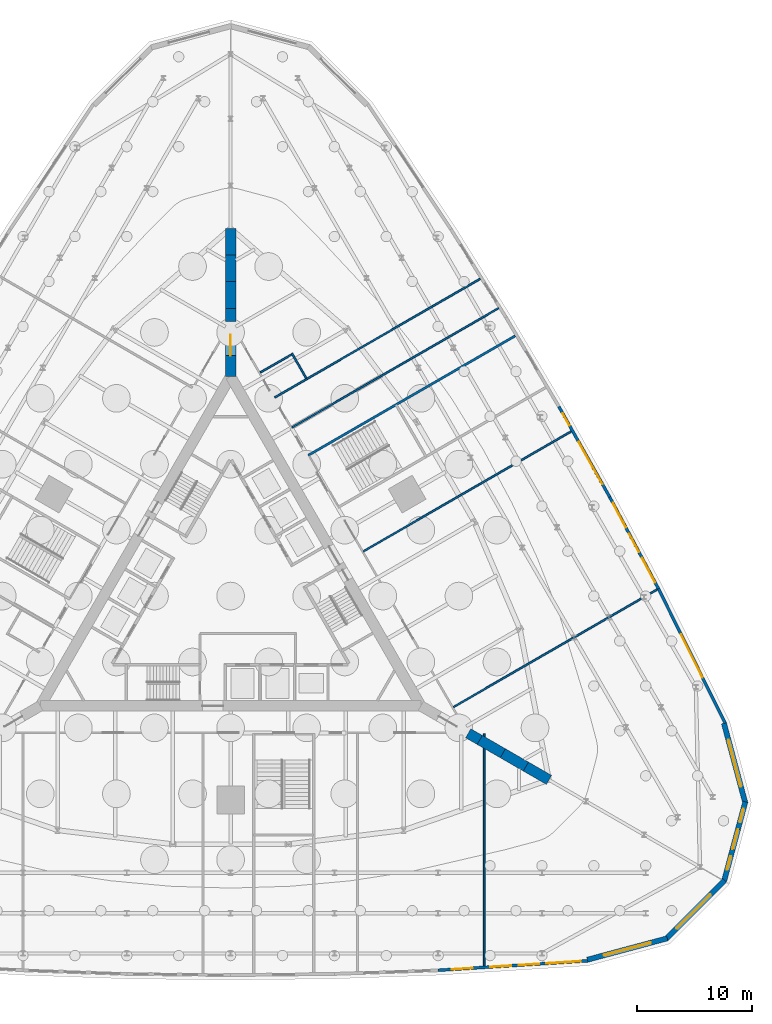
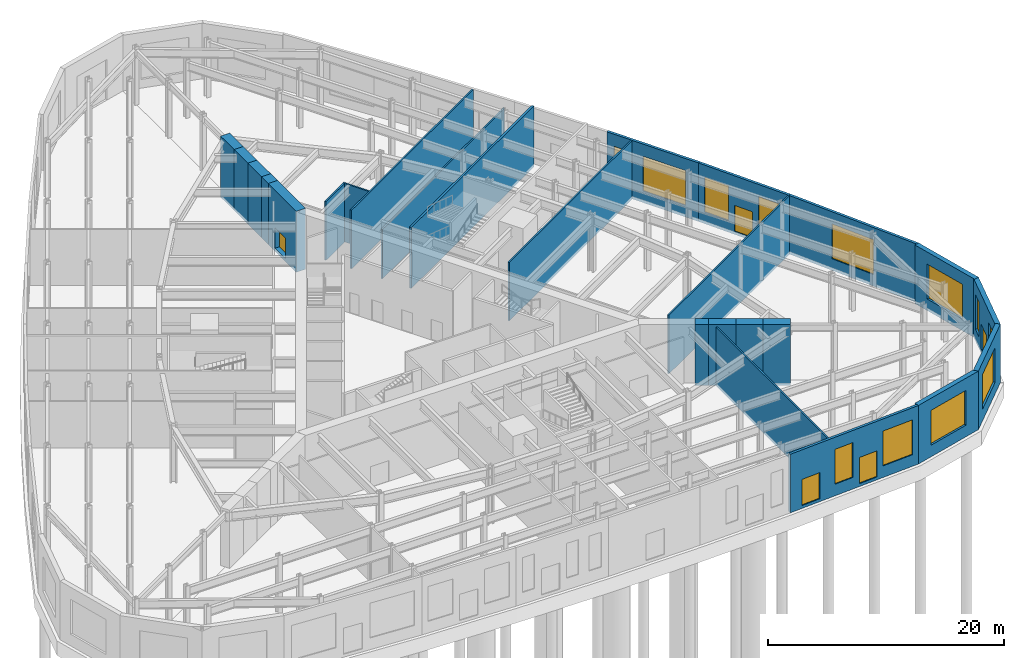
# One storey, part 13 of 17: 25 walls, 12 windows, 5 doors, 17 openings.
"""IFC4 building model written with IfcOpenShell, lengths in metres."""

from ifc_helpers import new_model, si_unit, direction, frame, frame_2d, origin, place, context, subcontext, project, spatial, rectangle, extrude, material, layer, layer_set, type_object, element, fill, save


model = new_model("IFC4")

# Units and contexts
model_context = context("Model", 3, precision=1e-05, world=origin(), true_north=direction((0.0, 1.0)))
body_context = subcontext(model_context, "Body", "Model", "MODEL_VIEW")
ifc_project = project(units=[si_unit("LENGTHUNIT", "METRE"), si_unit("AREAUNIT", "SQUARE_METRE"), si_unit("VOLUMEUNIT", "CUBIC_METRE"), si_unit("PLANEANGLEUNIT", "RADIAN"), si_unit("MASSUNIT", "GRAM", prefix="KILO")], contexts=[model_context])

# Site, building, storey
site_placement = place(None, origin())
site = spatial("IfcSite", under=ifc_project, at=site_placement, CompositionType="ELEMENT")
building_placement = place(site_placement, origin())
building = spatial("IfcBuilding", under=site, at=building_placement, Name="Trikona Tower", CompositionType="ELEMENT")
storey_placement = place(building_placement, origin())
storey = spatial("IfcBuildingStorey", under=building, at=storey_placement, Name="L00", CompositionType="ELEMENT", Elevation=0.0)

# Wall, opening, window
ifc_material_1 = material(Name="Brick-faced precast concrete", Category="masonry")
ifc_layer_1 = layer(ifc_material_1, 0.449951171875)
ifc_layer_set_1 = layer_set([ifc_layer_1], Name="Brick-faced corner wall 450")
wall_type_1 = type_object("IfcWallType", Name="Brick-faced corner wall 450", PredefinedType="SOLIDWALL", material=ifc_layer_set_1)
wall_1_placement = place(storey_placement, frame((30.94189453125, -31.537109375, -0.300048828125), z_axis=(0.0, 0.0, 1.0), x_axis=(0.965924653531, 0.258823421857, 0.0)))
wall_1 = element("IfcWall", 1, at=wall_1_placement, inside=storey, type_object=wall_type_1, Name="External wall L00-06", PredefinedType="SOLIDWALL", context=body_context, shape_type="SweptSolid", body=[
    extrude(rectangle(XDim=7.172607421875, YDim=0.449951171875, at=frame_2d((3.58642578125, 0.0))), origin(), (0.0, 0.0, 1.0), 6.050048828125),
])
opening_1_placement = place(wall_1_placement, frame((1.486328125, 0.0, 1.199951171875)))
opening_1 = element("IfcOpeningElement", 2, at=opening_1_placement, cuts=wall_1, Name="Opening W4236", PredefinedType="OPENING", context=body_context, shape_type="SweptSolid", body=[
    extrude(rectangle(XDim=4.199951171875, YDim=3.60009765625, at=frame_2d((2.10009765625, 1.800048828125))), frame((0.0, 0.23486328125, 0.0), z_axis=(0.0, -1.0, 0.0), x_axis=(1.0, 0.0, 0.0)), (0.0, 0.0, 1.0), 0.469970703125),
])
ifc_material_2 = material(Name="Aluminium-framed double glazing", Category="aluminium")
window_type_1 = type_object("IfcWindowType", Name="Window 4200x3600", PartitioningType="SINGLE_PANEL", PredefinedType="WINDOW", material=ifc_material_2)
window_1_placement = place(opening_1_placement, origin())
window_1 = element("IfcWindow", 3, at=window_1_placement, inside=storey, type_object=window_type_1, Name="Window L00-RU2", OverallHeight=3.60009765625, OverallWidth=4.199951171875, PartitioningType="SINGLE_PANEL", PredefinedType="WINDOW", context=body_context, shape_type="SweptSolid", body=[
    extrude(rectangle(XDim=4.199951171875, YDim=3.60009765625, at=frame_2d((2.10009765625, 1.800048828125))), frame((0.0, 0.030029296875, 0.0), z_axis=(0.0, -1.0, 0.0), x_axis=(1.0, 0.0, 0.0)), (0.0, 0.0, 1.0), 0.06005859375),
])
fill(opening_1, window_1)

wall_2_placement = place(storey_placement, frame((37.76904296875, -29.73876953125, -0.300048828125), z_axis=(0.0, 0.0, 1.0), x_axis=(0.707106781187, 0.707106781187, 0.0)))
wall_2 = element("IfcWall", 4, at=wall_2_placement, inside=storey, type_object=wall_type_1, Name="External wall L00-07", PredefinedType="SOLIDWALL", context=body_context, shape_type="SweptSolid", body=[
    extrude(rectangle(XDim=7.172607421875, YDim=0.449951171875, at=frame_2d((3.58642578125, 0.0))), origin(), (0.0, 0.0, 1.0), 6.050048828125),
])
opening_2_placement = place(wall_2_placement, frame((1.26806640625, 0.0, 1.199951171875)))
opening_2 = element("IfcOpeningElement", 5, at=opening_2_placement, cuts=wall_2, Name="Opening W4236", PredefinedType="OPENING", context=body_context, shape_type="SweptSolid", body=[
    extrude(rectangle(XDim=4.199951171875, YDim=3.60009765625, at=frame_2d((2.10009765625, 1.800048828125))), frame((0.0, 0.23486328125, 0.0), z_axis=(0.0, -1.0, 0.0), x_axis=(1.0, 0.0, 0.0)), (0.0, 0.0, 1.0), 0.469970703125),
])
window_2_placement = place(opening_2_placement, origin())
window_2 = element("IfcWindow", 6, at=window_2_placement, inside=storey, type_object=window_type_1, Name="Window L00-RU2", OverallHeight=3.60009765625, OverallWidth=4.199951171875, PartitioningType="SINGLE_PANEL", PredefinedType="WINDOW", context=body_context, shape_type="SweptSolid", body=[
    extrude(rectangle(XDim=4.199951171875, YDim=3.60009765625, at=frame_2d((2.10009765625, 1.800048828125))), frame((0.0, 0.030029296875, 0.0), z_axis=(0.0, -1.0, 0.0), x_axis=(1.0, 0.0, 0.0)), (0.0, 0.0, 1.0), 0.06005859375),
])
fill(opening_2, window_2)

# Wall, openings, door, windows
wall_3_placement = place(storey_placement, frame((42.78271484375, -24.767822265625, -0.300048828125), z_axis=(0.0, 0.0, 1.0), x_axis=(0.258823421857, 0.965924653531, 0.0)))
wall_3 = element("IfcWall", 7, at=wall_3_placement, inside=storey, type_object=wall_type_1, Name="External wall L00-08", PredefinedType="SOLIDWALL", context=body_context, shape_type="SweptSolid", body=[
    extrude(rectangle(XDim=7.172607421875, YDim=0.449951171875, at=frame_2d((3.58642578125, 0.0))), origin(), (0.0, 0.0, 1.0), 6.050048828125),
])
opening_3_placement = place(wall_3_placement, frame((2.904541015625, 0.0, 0.300048828125)))
opening_3 = element("IfcOpeningElement", 8, at=opening_3_placement, cuts=wall_3, Name="Opening D7", PredefinedType="OPENING", context=body_context, shape_type="SweptSolid", body=[
    extrude(rectangle(XDim=1.800048828125, YDim=2.699951171875, at=frame_2d((0.89990234375, 1.35009765625))), frame((0.0, 0.23486328125, 0.0), z_axis=(0.0, -1.0, 0.0), x_axis=(1.0, 0.0, 0.0)), (0.0, 0.0, 1.0), 0.469970703125),
])
opening_4_placement = place(wall_3_placement, frame((1.070556640625, 0.0, 1.199951171875)))
opening_4 = element("IfcOpeningElement", 9, at=opening_4_placement, cuts=wall_3, Name="Opening W1236", PredefinedType="OPENING", context=body_context, shape_type="SweptSolid", body=[
    extrude(rectangle(XDim=1.199951171875, YDim=3.60009765625, at=frame_2d((0.60009765625, 1.800048828125))), frame((0.0, 0.23486328125, 0.0), z_axis=(0.0, -1.0, 0.0), x_axis=(1.0, 0.0, 0.0)), (0.0, 0.0, 1.0), 0.469970703125),
])
opening_5_placement = place(wall_3_placement, frame((5.338623046875, 0.0, 1.199951171875)))
opening_5 = element("IfcOpeningElement", 10, at=opening_5_placement, cuts=wall_3, Name="Opening W1236", PredefinedType="OPENING", context=body_context, shape_type="SweptSolid", body=[
    extrude(rectangle(XDim=1.199951171875, YDim=3.60009765625, at=frame_2d((0.60009765625, 1.800048828125))), frame((0.0, 0.23486328125, 0.0), z_axis=(0.0, -1.0, 0.0), x_axis=(1.0, 0.0, 0.0)), (0.0, 0.0, 1.0), 0.469970703125),
])
ifc_material_3 = material(Name="Aluminium-framed glazed door", Category="aluminium")
door_type_1 = type_object("IfcDoorType", Name="Entrance door pair 1800x2700", OperationType="DOUBLE_DOOR_SINGLE_SWING", PredefinedType="DOOR", material=ifc_material_3)
door_1_placement = place(opening_3_placement, origin())
door_1 = element("IfcDoor", 11, at=door_1_placement, inside=storey, type_object=door_type_1, Name="Exit door Retail unit 3", OperationType="DOUBLE_DOOR_SINGLE_SWING", OverallHeight=2.699951171875, OverallWidth=1.800048828125, PredefinedType="DOOR", context=body_context, shape_type="SweptSolid", body=[
    extrude(rectangle(XDim=1.800048828125, YDim=2.699951171875, at=frame_2d((0.89990234375, 1.35009765625))), frame((0.0, 0.02490234375, 0.0), z_axis=(0.0, -1.0, 0.0), x_axis=(1.0, 0.0, 0.0)), (0.0, 0.0, 1.0), 0.050048828125),
])
fill(opening_3, door_1)
ifc_material_4 = material(Name="Aluminium-framed double glazing", Category="aluminium")
window_type_2 = type_object("IfcWindowType", Name="Window 1200x3600", PartitioningType="SINGLE_PANEL", PredefinedType="WINDOW", material=ifc_material_4)
window_3_placement = place(opening_4_placement, origin())
window_3 = element("IfcWindow", 12, at=window_3_placement, inside=storey, type_object=window_type_2, Name="Window L00-RU3", OverallHeight=3.60009765625, OverallWidth=1.199951171875, PartitioningType="SINGLE_PANEL", PredefinedType="WINDOW", context=body_context, shape_type="SweptSolid", body=[
    extrude(rectangle(XDim=1.199951171875, YDim=3.60009765625, at=frame_2d((0.60009765625, 1.800048828125))), frame((0.0, 0.030029296875, 0.0), z_axis=(0.0, -1.0, 0.0), x_axis=(1.0, 0.0, 0.0)), (0.0, 0.0, 1.0), 0.06005859375),
])
fill(opening_4, window_3)
window_4_placement = place(opening_5_placement, origin())
window_4 = element("IfcWindow", 13, at=window_4_placement, inside=storey, type_object=window_type_2, Name="Window L00-RU3", OverallHeight=3.60009765625, OverallWidth=1.199951171875, PartitioningType="SINGLE_PANEL", PredefinedType="WINDOW", context=body_context, shape_type="SweptSolid", body=[
    extrude(rectangle(XDim=1.199951171875, YDim=3.60009765625, at=frame_2d((0.60009765625, 1.800048828125))), frame((0.0, 0.030029296875, 0.0), z_axis=(0.0, -1.0, 0.0), x_axis=(1.0, 0.0, 0.0)), (0.0, 0.0, 1.0), 0.06005859375),
])
fill(opening_5, window_4)

# Wall, opening, window
wall_4_placement = place(storey_placement, frame((44.63916015625, -17.9560546875, -0.300048828125), z_axis=(0.0, 0.0, 1.0), x_axis=(-0.258823421857, 0.965924653531, 0.0)))
wall_4 = element("IfcWall", 14, at=wall_4_placement, inside=storey, type_object=wall_type_1, Name="External wall L00-09", PredefinedType="SOLIDWALL", context=body_context, shape_type="SweptSolid", body=[
    extrude(rectangle(XDim=7.172607421875, YDim=0.449951171875, at=frame_2d((3.58642578125, 0.0))), origin(), (0.0, 0.0, 1.0), 6.050048828125),
])
opening_6_placement = place(wall_4_placement, frame((1.486328125, 0.0, 1.199951171875)))
opening_6 = element("IfcOpeningElement", 15, at=opening_6_placement, cuts=wall_4, Name="Opening W4236", PredefinedType="OPENING", context=body_context, shape_type="SweptSolid", body=[
    extrude(rectangle(XDim=4.199951171875, YDim=3.60009765625, at=frame_2d((2.10009765625, 1.800048828125))), frame((0.0, 0.23486328125, 0.0), z_axis=(0.0, -1.0, 0.0), x_axis=(1.0, 0.0, 0.0)), (0.0, 0.0, 1.0), 0.469970703125),
])
window_5_placement = place(opening_6_placement, origin())
window_5 = element("IfcWindow", 16, at=window_5_placement, inside=storey, type_object=window_type_1, Name="Window L00-RU3", OverallHeight=3.60009765625, OverallWidth=4.199951171875, PartitioningType="SINGLE_PANEL", PredefinedType="WINDOW", context=body_context, shape_type="SweptSolid", body=[
    extrude(rectangle(XDim=4.199951171875, YDim=3.60009765625, at=frame_2d((2.10009765625, 1.800048828125))), frame((0.0, 0.030029296875, 0.0), z_axis=(0.0, -1.0, 0.0), x_axis=(1.0, 0.0, 0.0)), (0.0, 0.0, 1.0), 0.06005859375),
])
fill(opening_6, window_5)

# Walls
ifc_material_5 = material(Name="Concrete f'c 10000 psi", Category="concrete")
ifc_layer_2 = layer(ifc_material_5, 0.89990234375)
ifc_layer_set_2 = layer_set([ifc_layer_2], Name="Buttress wall 900")
wall_type_2 = type_object("IfcWallType", Name="Buttress wall 900", PredefinedType="SHEAR", material=ifc_layer_set_2)
wall_5_placement = place(storey_placement, frame((20.6103515625, -11.8994140625, -0.300048828125), z_axis=(0.0, 0.0, 1.0), x_axis=(0.866009537788, -0.500027479704, 0.0)))
element("IfcWall", 17, at=wall_5_placement, inside=storey, type_object=wall_type_2, Name="Buttress wall 1 part 2", PredefinedType="SHEAR", context=body_context, shape_type="SweptSolid", body=[
    extrude(rectangle(XDim=1.15478515625, YDim=0.89990234375, at=frame_2d((0.577392578125, 0.0))), origin(), (0.0, 0.0, 1.0), 6.300048828125),
])
for number, where, z_axis, x_axis, name in (
    (18, (21.6103515625, -12.476806640625, -0.300048828125), (0.0, 0.0, 1.0), (0.866055313784, -0.499948190782, 0.0), "Buttress wall 1 part 3"),
    (19, (23.6103515625, -13.63134765625, -0.300048828125), (0.0, 0.0, 1.0), (0.866009537788, -0.500027479704, 0.0), "Buttress wall 1 part 4"),
    (20, (25.6103515625, -14.7861328125, -0.300048828125), (0.0, 0.0, 1.0), (0.866009537788, -0.500027479704, 0.0), "Buttress wall 1 part 5"),
):
    element("IfcWall", number, at=place(storey_placement, frame(where, z_axis=z_axis, x_axis=x_axis)), inside=storey, type_object=wall_type_2, Name=name, PredefinedType="SHEAR", context=body_context, shape_type="SweptSolid", body=[
        extrude(rectangle(XDim=2.309326171875, YDim=0.89990234375, at=frame_2d((1.15478515625, 0.0))), origin(), (0.0, 0.0, 1.0), 6.300048828125),
    ])

# Wall, opening, door
wall_6_placement = place(storey_placement, frame((0.0, 19.052490234375, -0.300048828125), z_axis=(0.0, 0.0, 1.0), x_axis=(0.0, 1.0, 0.0)))
wall_6 = element("IfcWall", 21, at=wall_6_placement, inside=storey, type_object=wall_type_2, Name="Buttress wall 2", PredefinedType="SHEAR", context=body_context, shape_type="SweptSolid", body=[
    extrude(rectangle(XDim=4.74609375, YDim=0.89990234375, at=frame_2d((2.373046875, 0.0))), origin(), (0.0, 0.0, 1.0), 6.300048828125),
])
opening_7_placement = place(wall_6_placement, frame((1.800048828125, 0.0, 0.300048828125)))
opening_7 = element("IfcOpeningElement", 22, at=opening_7_placement, cuts=wall_6, Name="Opening D10", PredefinedType="OPENING", context=body_context, shape_type="SweptSolid", body=[
    extrude(rectangle(XDim=1.800048828125, YDim=2.1298828125, at=frame_2d((0.89990234375, 1.06494140625))), frame((0.0, 0.4599609375, 0.0), z_axis=(0.0, -1.0, 0.0), x_axis=(1.0, 0.0, 0.0)), (0.0, 0.0, 1.0), 0.919921875),
])
ifc_material_6 = material(Name="Hollow metal door and frame", Category="steel")
door_type_2 = type_object("IfcDoorType", Name="Cross-corridor door pair 1800x2130", OperationType="DOUBLE_DOOR_DOUBLE_SWING", PredefinedType="DOOR", material=ifc_material_6)
door_2_placement = place(opening_7_placement, origin())
door_2 = element("IfcDoor", 23, at=door_2_placement, inside=storey, type_object=door_type_2, Name="Cross-corridor door 2", OperationType="DOUBLE_DOOR_DOUBLE_SWING", OverallHeight=2.1298828125, OverallWidth=1.800048828125, PredefinedType="DOOR", context=body_context, shape_type="SweptSolid", body=[
    extrude(rectangle(XDim=1.800048828125, YDim=2.1298828125, at=frame_2d((0.89990234375, 1.06494140625))), frame((0.0, 0.02490234375, 0.0), z_axis=(0.0, -1.0, 0.0), x_axis=(1.0, 0.0, 0.0)), (0.0, 0.0, 1.0), 0.050048828125),
])
fill(opening_7, door_2)

# Walls
wall_7_placement = place(storey_placement, frame((0.0, 23.798583984375, -0.300048828125), z_axis=(0.0, 0.0, 1.0), x_axis=(0.0, 1.0, 0.0)))
element("IfcWall", 24, at=wall_7_placement, inside=storey, type_object=wall_type_2, Name="Buttress wall 2 part 2", PredefinedType="SHEAR", context=body_context, shape_type="SweptSolid", body=[
    extrude(rectangle(XDim=1.15478515625, YDim=0.89990234375, at=frame_2d((0.577392578125, 0.0))), origin(), (0.0, 0.0, 1.0), 6.300048828125),
])
wall_8_placement = place(storey_placement, frame((0.0, 24.953369140625, -0.300048828125), z_axis=(0.0, 0.0, 1.0), x_axis=(0.0, 1.0, 0.0)))
element("IfcWall", 25, at=wall_8_placement, inside=storey, type_object=wall_type_2, Name="Buttress wall 2 part 3", PredefinedType="SHEAR", context=body_context, shape_type="SweptSolid", body=[
    extrude(rectangle(XDim=2.309326171875, YDim=0.89990234375, at=frame_2d((1.15478515625, 0.0))), origin(), (0.0, 0.0, 1.0), 6.300048828125),
])
wall_9_placement = place(storey_placement, frame((0.0, 27.2626953125, -0.300048828125), z_axis=(0.0, 0.0, 1.0), x_axis=(0.0, 1.0, 0.0)))
element("IfcWall", 26, at=wall_9_placement, inside=storey, type_object=wall_type_2, Name="Buttress wall 2 part 4", PredefinedType="SHEAR", context=body_context, shape_type="SweptSolid", body=[
    extrude(rectangle(XDim=2.3095703125, YDim=0.89990234375, at=frame_2d((1.15478515625, 0.0))), origin(), (0.0, 0.0, 1.0), 6.300048828125),
])
wall_10_placement = place(storey_placement, frame((0.0, 29.572265625, -0.300048828125), z_axis=(0.0, 0.0, 1.0), x_axis=(0.0, 1.0, 0.0)))
element("IfcWall", 27, at=wall_10_placement, inside=storey, type_object=wall_type_2, Name="Buttress wall 2 part 5", PredefinedType="SHEAR", context=body_context, shape_type="SweptSolid", body=[
    extrude(rectangle(XDim=2.309326171875, YDim=0.89990234375, at=frame_2d((1.15478515625, 0.0))), origin(), (0.0, 0.0, 1.0), 6.300048828125),
])

# Wall, openings, doors, windows
ifc_material_7 = material(Name="Insulated precast concrete spandrel panel", Category="concrete")
ifc_layer_3 = layer(ifc_material_7, 0.25)
ifc_layer_set_3 = layer_set([ifc_layer_3], Name="Inner skin wall 250")
wall_type_3 = type_object("IfcWallType", Name="Inner skin wall 250", PredefinedType="STANDARD", material=ifc_layer_set_3)
wall_11_placement = place(storey_placement, frame((17.9921875, -32.451416015625, -0.300048828125), z_axis=(0.0, 0.0, 1.0), x_axis=(0.998006805525, 0.063106387361, 0.0)))
wall_11 = element("IfcWall", 28, at=wall_11_placement, inside=storey, type_object=wall_type_3, Name="External wall L00-05", PredefinedType="STANDARD", context=body_context, shape_type="SweptSolid", body=[
    extrude(rectangle(XDim=13.02587890625, YDim=0.25, at=frame_2d((6.512939453125, 0.0))), origin(), (0.0, 0.0, 1.0), 6.050048828125),
])
opening_8_placement = place(wall_11_placement, frame((1.193115234375, 0.0, 0.300048828125)))
opening_8 = element("IfcOpeningElement", 29, at=opening_8_placement, cuts=wall_11, Name="Opening D7", PredefinedType="OPENING", context=body_context, shape_type="SweptSolid", body=[
    extrude(rectangle(XDim=1.800048828125, YDim=2.699951171875, at=frame_2d((0.89990234375, 1.35009765625))), frame((0.0, 0.135009765625, 0.0), z_axis=(0.0, -1.0, 0.0), x_axis=(1.0, 0.0, 0.0)), (0.0, 0.0, 1.0), 0.27001953125),
])
opening_9_placement = place(wall_11_placement, frame((7.006103515625, 0.0, 0.300048828125)))
opening_9 = element("IfcOpeningElement", 30, at=opening_9_placement, cuts=wall_11, Name="Opening D7", PredefinedType="OPENING", context=body_context, shape_type="SweptSolid", body=[
    extrude(rectangle(XDim=1.800048828125, YDim=2.699951171875, at=frame_2d((0.89990234375, 1.35009765625))), frame((0.0, 0.135009765625, 0.0), z_axis=(0.0, -1.0, 0.0), x_axis=(1.0, 0.0, 0.0)), (0.0, 0.0, 1.0), 0.27001953125),
])
opening_10_placement = place(wall_11_placement, frame((4.54638671875, 0.0, 1.199951171875)))
opening_10 = element("IfcOpeningElement", 31, at=opening_10_placement, cuts=wall_11, Name="Opening W1836", PredefinedType="OPENING", context=body_context, shape_type="SweptSolid", body=[
    extrude(rectangle(XDim=1.800048828125, YDim=3.60009765625, at=frame_2d((0.89990234375, 1.800048828125))), frame((0.0, 0.135009765625, 0.0), z_axis=(0.0, -1.0, 0.0), x_axis=(1.0, 0.0, 0.0)), (0.0, 0.0, 1.0), 0.27001953125),
])
opening_11_placement = place(wall_11_placement, frame((9.416015625, 0.0, 1.199951171875)))
opening_11 = element("IfcOpeningElement", 32, at=opening_11_placement, cuts=wall_11, Name="Opening W3036", PredefinedType="OPENING", context=body_context, shape_type="SweptSolid", body=[
    extrude(rectangle(XDim=3.0, YDim=3.60009765625, at=frame_2d((1.5, 1.800048828125))), frame((0.0, 0.135009765625, 0.0), z_axis=(0.0, -1.0, 0.0), x_axis=(1.0, 0.0, 0.0)), (0.0, 0.0, 1.0), 0.27001953125),
])
door_3_placement = place(opening_8_placement, origin())
door_3 = element("IfcDoor", 33, at=door_3_placement, inside=storey, type_object=door_type_1, Name="Exit door Observation deck ticket hall", OperationType="DOUBLE_DOOR_SINGLE_SWING", OverallHeight=2.699951171875, OverallWidth=1.800048828125, PredefinedType="DOOR", context=body_context, shape_type="SweptSolid", body=[
    extrude(rectangle(XDim=1.800048828125, YDim=2.699951171875, at=frame_2d((0.89990234375, 1.35009765625))), frame((0.0, 0.02490234375, 0.0), z_axis=(0.0, -1.0, 0.0), x_axis=(1.0, 0.0, 0.0)), (0.0, 0.0, 1.0), 0.050048828125),
])
fill(opening_8, door_3)
door_4_placement = place(opening_9_placement, origin())
door_4 = element("IfcDoor", 34, at=door_4_placement, inside=storey, type_object=door_type_1, Name="Exit door Retail unit 2", OperationType="DOUBLE_DOOR_SINGLE_SWING", OverallHeight=2.699951171875, OverallWidth=1.800048828125, PredefinedType="DOOR", context=body_context, shape_type="SweptSolid", body=[
    extrude(rectangle(XDim=1.800048828125, YDim=2.699951171875, at=frame_2d((0.89990234375, 1.35009765625))), frame((0.0, 0.02490234375, 0.0), z_axis=(0.0, -1.0, 0.0), x_axis=(1.0, 0.0, 0.0)), (0.0, 0.0, 1.0), 0.050048828125),
])
fill(opening_9, door_4)
ifc_material_8 = material(Name="Aluminium-framed double glazing", Category="aluminium")
window_type_3 = type_object("IfcWindowType", Name="Window 1800x3600", PartitioningType="SINGLE_PANEL", PredefinedType="WINDOW", material=ifc_material_8)
window_6_placement = place(opening_10_placement, origin())
window_6 = element("IfcWindow", 35, at=window_6_placement, inside=storey, type_object=window_type_3, Name="Window L00-RU2", OverallHeight=3.60009765625, OverallWidth=1.800048828125, PartitioningType="SINGLE_PANEL", PredefinedType="WINDOW", context=body_context, shape_type="SweptSolid", body=[
    extrude(rectangle(XDim=1.800048828125, YDim=3.60009765625, at=frame_2d((0.89990234375, 1.800048828125))), frame((0.0, 0.030029296875, 0.0), z_axis=(0.0, -1.0, 0.0), x_axis=(1.0, 0.0, 0.0)), (0.0, 0.0, 1.0), 0.06005859375),
])
fill(opening_10, window_6)
ifc_material_9 = material(Name="Aluminium-framed double glazing", Category="aluminium")
window_type_4 = type_object("IfcWindowType", Name="Window 3000x3600", PartitioningType="SINGLE_PANEL", PredefinedType="WINDOW", material=ifc_material_9)
window_7_placement = place(opening_11_placement, origin())
window_7 = element("IfcWindow", 36, at=window_7_placement, inside=storey, type_object=window_type_4, Name="Window L00-RU2", OverallHeight=3.60009765625, OverallWidth=3.0, PartitioningType="SINGLE_PANEL", PredefinedType="WINDOW", context=body_context, shape_type="SweptSolid", body=[
    extrude(rectangle(XDim=3.0, YDim=3.60009765625, at=frame_2d((1.5, 1.800048828125))), frame((0.0, 0.030029296875, 0.0), z_axis=(0.0, -1.0, 0.0), x_axis=(1.0, 0.0, 0.0)), (0.0, 0.0, 1.0), 0.06005859375),
])
fill(opening_11, window_7)

# Wall, opening, window
wall_12_placement = place(storey_placement, frame((42.887939453125, -11.025146484375, -0.300048828125), z_axis=(0.0, 0.0, 1.0), x_axis=(-0.444354908353, 0.895850833243, 0.0)))
wall_12 = element("IfcWall", 37, at=wall_12_placement, inside=storey, type_object=wall_type_3, Name="External wall L00-10", PredefinedType="STANDARD", context=body_context, shape_type="SweptSolid", body=[
    extrude(rectangle(XDim=13.02587890625, YDim=0.25, at=frame_2d((6.512939453125, 0.0))), origin(), (0.0, 0.0, 1.0), 6.050048828125),
])
opening_12_placement = place(wall_12_placement, frame((4.4130859375, 0.0, 1.199951171875)))
opening_12 = element("IfcOpeningElement", 38, at=opening_12_placement, cuts=wall_12, Name="Opening W4236", PredefinedType="OPENING", context=body_context, shape_type="SweptSolid", body=[
    extrude(rectangle(XDim=4.199951171875, YDim=3.60009765625, at=frame_2d((2.10009765625, 1.800048828125))), frame((0.0, 0.135009765625, 0.0), z_axis=(0.0, -1.0, 0.0), x_axis=(1.0, 0.0, 0.0)), (0.0, 0.0, 1.0), 0.27001953125),
])
window_8_placement = place(opening_12_placement, origin())
window_8 = element("IfcWindow", 39, at=window_8_placement, inside=storey, type_object=window_type_1, Name="Window L00-RU3", OverallHeight=3.60009765625, OverallWidth=4.199951171875, PartitioningType="SINGLE_PANEL", PredefinedType="WINDOW", context=body_context, shape_type="SweptSolid", body=[
    extrude(rectangle(XDim=4.199951171875, YDim=3.60009765625, at=frame_2d((2.10009765625, 1.800048828125))), frame((0.0, 0.030029296875, 0.0), z_axis=(0.0, -1.0, 0.0), x_axis=(1.0, 0.0, 0.0)), (0.0, 0.0, 1.0), 0.06005859375),
])
fill(opening_12, window_8)

# Wall, openings, door, windows
wall_13_placement = place(storey_placement, frame((37.101318359375, 0.640869140625, -0.300048828125), z_axis=(0.0, 0.0, 1.0), x_axis=(-0.469531141255, 0.882915911846, 0.0)))
wall_13 = element("IfcWall", 40, at=wall_13_placement, inside=storey, type_object=wall_type_3, Name="External wall L00-11", PredefinedType="STANDARD", context=body_context, shape_type="SweptSolid", body=[
    extrude(rectangle(XDim=9.00537109375, YDim=0.25, at=frame_2d((4.502685546875, 0.0))), origin(), (0.0, 0.0, 1.0), 6.050048828125),
])
opening_13_placement = place(wall_13_placement, frame((3.602783203125, 0.0, 0.300048828125)))
opening_13 = element("IfcOpeningElement", 41, at=opening_13_placement, cuts=wall_13, Name="Opening D7", PredefinedType="OPENING", context=body_context, shape_type="SweptSolid", body=[
    extrude(rectangle(XDim=1.800048828125, YDim=2.699951171875, at=frame_2d((0.89990234375, 1.35009765625))), frame((0.0, 0.135009765625, 0.0), z_axis=(0.0, -1.0, 0.0), x_axis=(1.0, 0.0, 0.0)), (0.0, 0.0, 1.0), 0.27001953125),
])
opening_14_placement = place(wall_13_placement, frame((0.601318359375, 0.0, 1.199951171875)))
opening_14 = element("IfcOpeningElement", 42, at=opening_14_placement, cuts=wall_13, Name="Opening W2436", PredefinedType="OPENING", context=body_context, shape_type="SweptSolid", body=[
    extrude(rectangle(XDim=2.39990234375, YDim=3.60009765625, at=frame_2d((1.199951171875, 1.800048828125))), frame((0.0, 0.135009765625, 0.0), z_axis=(0.0, -1.0, 0.0), x_axis=(1.0, 0.0, 0.0)), (0.0, 0.0, 1.0), 0.27001953125),
])
opening_15_placement = place(wall_13_placement, frame((6.004150390625, 0.0, 1.199951171875)))
opening_15 = element("IfcOpeningElement", 43, at=opening_15_placement, cuts=wall_13, Name="Opening W2436", PredefinedType="OPENING", context=body_context, shape_type="SweptSolid", body=[
    extrude(rectangle(XDim=2.39990234375, YDim=3.60009765625, at=frame_2d((1.199951171875, 1.800048828125))), frame((0.0, 0.135009765625, 0.0), z_axis=(0.0, -1.0, 0.0), x_axis=(1.0, 0.0, 0.0)), (0.0, 0.0, 1.0), 0.27001953125),
])
door_5_placement = place(opening_13_placement, origin())
door_5 = element("IfcDoor", 44, at=door_5_placement, inside=storey, type_object=door_type_1, Name="Exit door Cafe", OperationType="DOUBLE_DOOR_SINGLE_SWING", OverallHeight=2.699951171875, OverallWidth=1.800048828125, PredefinedType="DOOR", context=body_context, shape_type="SweptSolid", body=[
    extrude(rectangle(XDim=1.800048828125, YDim=2.699951171875, at=frame_2d((0.89990234375, 1.35009765625))), frame((0.0, 0.02490234375, 0.0), z_axis=(0.0, -1.0, 0.0), x_axis=(1.0, 0.0, 0.0)), (0.0, 0.0, 1.0), 0.050048828125),
])
fill(opening_13, door_5)
ifc_material_10 = material(Name="Aluminium-framed double glazing", Category="aluminium")
window_type_5 = type_object("IfcWindowType", Name="Window 2400x3600", PartitioningType="SINGLE_PANEL", PredefinedType="WINDOW", material=ifc_material_10)
window_9_placement = place(opening_14_placement, origin())
window_9 = element("IfcWindow", 45, at=window_9_placement, inside=storey, type_object=window_type_5, Name="Window L00-CAF", OverallHeight=3.60009765625, OverallWidth=2.39990234375, PartitioningType="SINGLE_PANEL", PredefinedType="WINDOW", context=body_context, shape_type="SweptSolid", body=[
    extrude(rectangle(XDim=2.39990234375, YDim=3.60009765625, at=frame_2d((1.199951171875, 1.800048828125))), frame((0.0, 0.030029296875, 0.0), z_axis=(0.0, -1.0, 0.0), x_axis=(1.0, 0.0, 0.0)), (0.0, 0.0, 1.0), 0.06005859375),
])
fill(opening_14, window_9)
window_10_placement = place(opening_15_placement, origin())
window_10 = element("IfcWindow", 46, at=window_10_placement, inside=storey, type_object=window_type_5, Name="Window L00-CAF", OverallHeight=3.60009765625, OverallWidth=2.39990234375, PartitioningType="SINGLE_PANEL", PredefinedType="WINDOW", context=body_context, shape_type="SweptSolid", body=[
    extrude(rectangle(XDim=2.39990234375, YDim=3.60009765625, at=frame_2d((1.199951171875, 1.800048828125))), frame((0.0, 0.030029296875, 0.0), z_axis=(0.0, -1.0, 0.0), x_axis=(1.0, 0.0, 0.0)), (0.0, 0.0, 1.0), 0.06005859375),
])
fill(opening_15, window_10)

# Wall, openings, windows
wall_14_placement = place(storey_placement, frame((32.87451171875, 8.58935546875, -0.300048828125), z_axis=(0.0, 0.0, 1.0), x_axis=(-0.489927657557, 0.871763093025, 0.0)))
wall_14 = element("IfcWall", 47, at=wall_14_placement, inside=storey, type_object=wall_type_3, Name="External wall L00-12", PredefinedType="STANDARD", context=body_context, shape_type="SweptSolid", body=[
    extrude(rectangle(XDim=9.000732421875, YDim=0.25, at=frame_2d((4.50048828125, 0.0))), origin(), (0.0, 0.0, 1.0), 6.050048828125),
])
opening_16_placement = place(wall_14_placement, frame((1.272705078125, 0.0, 1.199951171875)))
opening_16 = element("IfcOpeningElement", 48, at=opening_16_placement, cuts=wall_14, Name="Opening W4236", PredefinedType="OPENING", context=body_context, shape_type="SweptSolid", body=[
    extrude(rectangle(XDim=4.199951171875, YDim=3.60009765625, at=frame_2d((2.10009765625, 1.800048828125))), frame((0.0, 0.135009765625, 0.0), z_axis=(0.0, -1.0, 0.0), x_axis=(1.0, 0.0, 0.0)), (0.0, 0.0, 1.0), 0.27001953125),
])
opening_17_placement = place(wall_14_placement, frame((7.123046875, 0.0, 1.199951171875)))
opening_17 = element("IfcOpeningElement", 49, at=opening_17_placement, cuts=wall_14, Name="Opening W1236", PredefinedType="OPENING", context=body_context, shape_type="SweptSolid", body=[
    extrude(rectangle(XDim=1.199951171875, YDim=3.60009765625, at=frame_2d((0.60009765625, 1.800048828125))), frame((0.0, 0.135009765625, 0.0), z_axis=(0.0, -1.0, 0.0), x_axis=(1.0, 0.0, 0.0)), (0.0, 0.0, 1.0), 0.27001953125),
])
window_11_placement = place(opening_17_placement, origin())
window_11 = element("IfcWindow", 50, at=window_11_placement, inside=storey, type_object=window_type_2, Name="Window L00-EXB", OverallHeight=3.60009765625, OverallWidth=1.199951171875, PartitioningType="SINGLE_PANEL", PredefinedType="WINDOW", context=body_context, shape_type="SweptSolid", body=[
    extrude(rectangle(XDim=1.199951171875, YDim=3.60009765625, at=frame_2d((0.60009765625, 1.800048828125))), frame((0.0, 0.030029296875, 0.0), z_axis=(0.0, -1.0, 0.0), x_axis=(1.0, 0.0, 0.0)), (0.0, 0.0, 1.0), 0.06005859375),
])
fill(opening_17, window_11)
window_12_placement = place(opening_16_placement, origin())
window_12 = element("IfcWindow", 51, at=window_12_placement, inside=storey, type_object=window_type_1, Name="Window L00-CAF", OverallHeight=3.60009765625, OverallWidth=4.199951171875, PartitioningType="SINGLE_PANEL", PredefinedType="WINDOW", context=body_context, shape_type="SweptSolid", body=[
    extrude(rectangle(XDim=4.199951171875, YDim=3.60009765625, at=frame_2d((2.10009765625, 1.800048828125))), frame((0.0, 0.030029296875, 0.0), z_axis=(0.0, -1.0, 0.0), x_axis=(1.0, 0.0, 0.0)), (0.0, 0.0, 1.0), 0.06005859375),
])
fill(opening_16, window_12)

# Walls
ifc_material_11 = material(Name="Metal stud and gypsum board, 1-hour acoustic", Category="gypsum")
ifc_layer_4 = layer(ifc_material_11, 0.14990234375)
ifc_layer_set_4 = layer_set([ifc_layer_4], Name="Party wall 150")
wall_type_4 = type_object("IfcWallType", Name="Party wall 150", PredefinedType="PARTITIONING", material=ifc_layer_set_4)
wall_15_placement = place(storey_placement, frame((22.0, -11.92626953125, -0.300048828125), z_axis=(0.0, 0.0, 1.0), x_axis=(0.0, -1.0, 0.0)))
element("IfcWall", 52, at=wall_15_placement, inside=storey, type_object=wall_type_4, Name="Partition L00 F1 u22", PredefinedType="PARTITIONING", context=body_context, shape_type="SweptSolid", body=[
    extrude(rectangle(XDim=20.146484375, YDim=0.14990234375, at=frame_2d((10.0732421875, 0.0))), origin(), (0.0, 0.0, 1.0), 6.050048828125),
])
wall_16_placement = place(storey_placement, frame((19.32861328125, -9.625244140625, -0.300048828125), z_axis=(0.0, 0.0, 1.0), x_axis=(0.866023552797, 0.500003205991, 0.0)))
element("IfcWall", 53, at=wall_16_placement, inside=storey, type_object=wall_type_4, Name="Partition L00 F2 u-18", PredefinedType="PARTITIONING", context=body_context, shape_type="SweptSolid", body=[
    extrude(rectangle(XDim=20.399169921875, YDim=0.14990234375, at=frame_2d((10.19970703125, 0.0))), origin(), (0.0, 0.0, 1.0), 6.050048828125),
])
wall_17_placement = place(storey_placement, frame((11.528564453125, 3.884765625, -0.300048828125), z_axis=(0.0, 0.0, 1.0), x_axis=(0.866024642576, 0.500001318449, 0.0)))
element("IfcWall", 54, at=wall_17_placement, inside=storey, type_object=wall_type_4, Name="Partition L00 F2 u-2.4", PredefinedType="PARTITIONING", context=body_context, shape_type="SweptSolid", body=[
    extrude(rectangle(XDim=20.7900390625, YDim=0.14990234375, at=frame_2d((10.39501953125, 0.0))), origin(), (0.0, 0.0, 1.0), 6.050048828125),
])
wall_18_placement = place(storey_placement, frame((5.32861328125, 14.623291015625, -0.300048828125), z_axis=(0.0, 0.0, 1.0), x_axis=(0.866021414031, 0.500006910393, 0.0)))
element("IfcWall", 55, at=wall_18_placement, inside=storey, type_object=wall_type_4, Name="Partition L00 F2 u10", PredefinedType="PARTITIONING", context=body_context, shape_type="SweptSolid", body=[
    extrude(rectangle(XDim=20.678466796875, YDim=0.14990234375, at=frame_2d((10.33935546875, 0.0))), origin(), (0.0, 0.0, 1.0), 5.107666015625),
])
wall_19_placement = place(storey_placement, frame((3.82861328125, 17.221435546875, -0.300048828125), z_axis=(0.0, 0.0, 1.0), x_axis=(0.866020381737, 0.50000869834, 0.0)))
element("IfcWall", 56, at=wall_19_placement, inside=storey, type_object=wall_type_4, Name="Partition L00 F2 u13", PredefinedType="PARTITIONING", context=body_context, shape_type="SweptSolid", body=[
    extrude(rectangle(XDim=20.573974609375, YDim=0.14990234375, at=frame_2d((10.287109375, 0.0))), origin(), (0.0, 0.0, 1.0), 6.050048828125),
])
wall_20_placement = place(storey_placement, frame((6.562255859375, 18.886474609375, -0.300048828125), z_axis=(0.0, 0.0, 1.0), x_axis=(-0.500004234368, 0.866022959057, 0.0)))
element("IfcWall", 57, at=wall_20_placement, inside=storey, type_object=wall_type_4, Name="Partition L00 F2 u13 back", PredefinedType="PARTITIONING", context=body_context, shape_type="SweptSolid", body=[
    extrude(rectangle(XDim=2.5, YDim=0.14990234375, at=frame_2d((1.25, 0.0))), origin(), (0.0, 0.0, 1.0), 6.050048828125),
])
wall_21_placement = place(storey_placement, frame((2.57861328125, 19.386474609375, -0.300048828125), z_axis=(0.0, 0.0, 1.0), x_axis=(0.866022959057, 0.500004234368, 0.0)))
element("IfcWall", 58, at=wall_21_placement, inside=storey, type_object=wall_type_4, Name="Partition L00 F2 u15.5", PredefinedType="PARTITIONING", context=body_context, shape_type="SweptSolid", body=[
    extrude(rectangle(XDim=3.125, YDim=0.14990234375, at=frame_2d((1.5625, 0.0))), origin(), (0.0, 0.0, 1.0), 6.050048828125),
])
ifc_material_12 = material(Name="Concrete f'c 6000 psi", Category="concrete")
ifc_layer_5 = layer(ifc_material_12, 0.199951171875)
ifc_layer_set_5 = layer_set([ifc_layer_5], Name="Stair enclosure wall 200")
wall_type_5 = type_object("IfcWallType", Name="Stair enclosure wall 200", PredefinedType="SHEAR", material=ifc_layer_set_5)
wall_22_placement = place(storey_placement, frame((6.728515625, 12.198486328125, -0.300048828125), z_axis=(0.0, 0.0, 1.0), x_axis=(0.866025976348, 0.499999008289, 0.0)))
element("IfcWall", 59, at=wall_22_placement, inside=storey, type_object=wall_type_5, Name="Stair enclosure L00 F2 u7.2", PredefinedType="SHEAR", context=body_context, shape_type="SweptSolid", body=[
    extrude(rectangle(XDim=20.734375, YDim=0.199951171875, at=frame_2d((10.3671875, 0.0))), origin(), (0.0, 0.0, 1.0), 6.300048828125),
])

save(model, "model.ifc")
